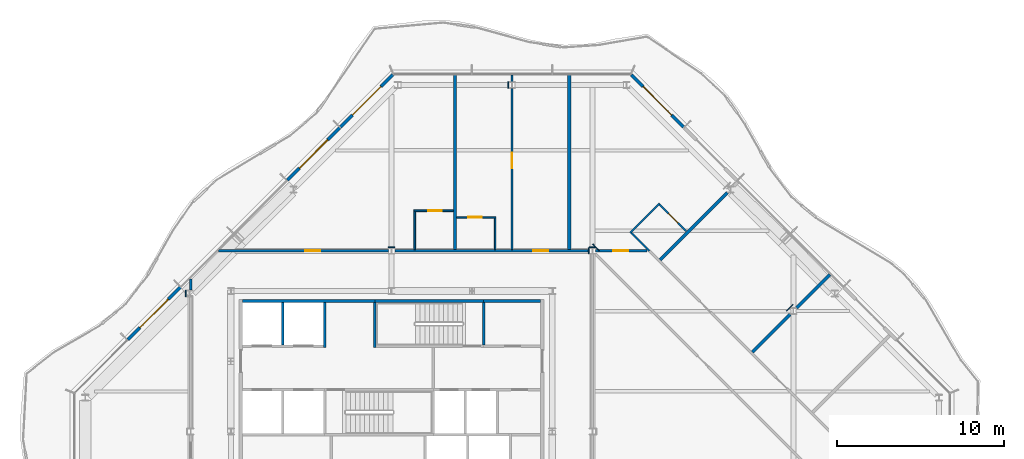
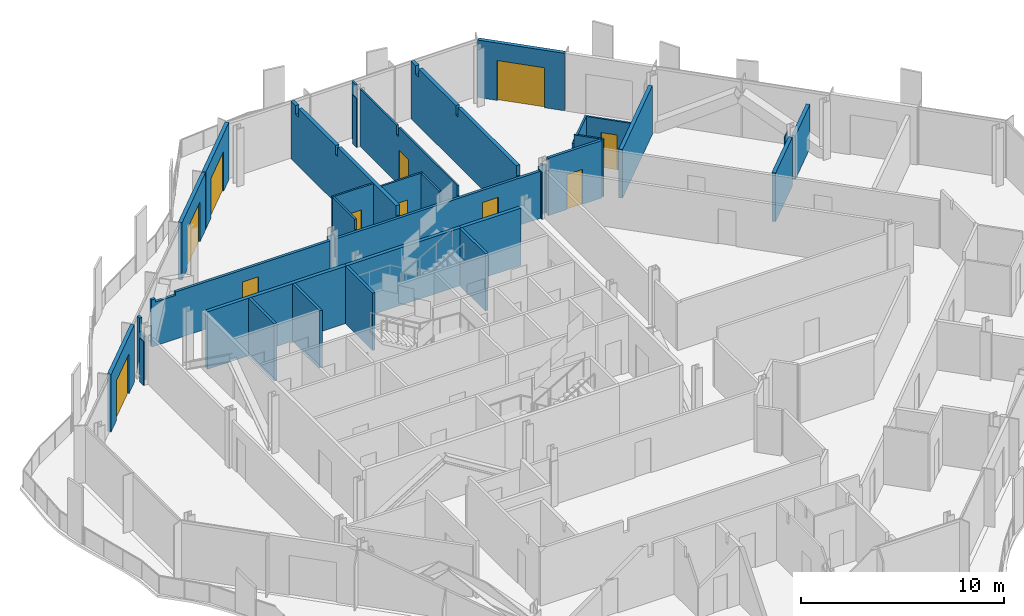
# One storey, part 11 of 17: 36 walls, 11 doors, 11 openings.
"""IFC4 building model written with IfcOpenShell, lengths in metres."""

from ifc_helpers import new_model, si_unit, direction, frame, frame_2d, origin, place, context, subcontext, project, spatial, polyline, rectangle, outline, extrude, material, layer, layer_set, type_object, element, fill, save


model = new_model("IFC4")

# Units and contexts
model_context = context("Model", 3, precision=1e-05, world=origin(), true_north=direction((0.0, 1.0)))
body_context = subcontext(model_context, "Body", "Model", "MODEL_VIEW")
ifc_project = project(units=[si_unit("LENGTHUNIT", "METRE"), si_unit("AREAUNIT", "SQUARE_METRE"), si_unit("VOLUMEUNIT", "CUBIC_METRE"), si_unit("PLANEANGLEUNIT", "RADIAN"), si_unit("MASSUNIT", "GRAM", prefix="KILO")], contexts=[model_context])

# Site, building, storey
site_placement = place(None, origin())
site = spatial("IfcSite", under=ifc_project, at=site_placement, CompositionType="ELEMENT")
building_placement = place(site_placement, origin())
building = spatial("IfcBuilding", under=site, at=building_placement, Name="Cairn Pilgrim Tower", CompositionType="ELEMENT")
storey_placement = place(building_placement, frame((0.0, 0.0, 270.60009765625)))
storey = spatial("IfcBuildingStorey", under=building, at=storey_placement, Name="L69", CompositionType="ELEMENT", Elevation=270.60009765625)

# Wall, opening, door
ifc_material_1 = material(Name="Bronze anodised aluminium insulated sandwich panel with mineral wool fill", Category="aluminium")
ifc_layer_1 = layer(ifc_material_1, 0.199951171875)
ifc_layer_set_1 = layer_set([ifc_layer_1], Name="BRONZE INFILL FRAME WALL 200")
wall_type_1 = type_object("IfcWallType", Name="BRONZE INFILL FRAME WALL 200", PredefinedType="NOTDEFINED", material=ifc_layer_set_1)
wall_1_placement = place(storey_placement, frame((24.65087890625, 20.595703125, 0.0), z_axis=(0.0, 0.0, 1.0), x_axis=(-0.707134392299, 0.707079168996, 0.0)))
wall_1 = element("IfcWall", 1, at=wall_1_placement, inside=storey, type_object=wall_type_1, Name="Bronze infill frame wall IW-NE6", PredefinedType="NOTDEFINED", context=body_context, shape_type="SweptSolid", body=[
    extrude(rectangle(XDim=4.4208984375, YDim=0.199951171875, at=frame_2d((2.21044921875, 0.0))), origin(), (0.0, 0.0, 1.0), 3.449951171875),
])
opening_1_placement = place(wall_1_placement, frame((1.01513671875, 0.0, 0.0)))
opening_1 = element("IfcOpeningElement", 2, at=opening_1_placement, cuts=wall_1, Name="Opening 6906B2", PredefinedType="OPENING", context=body_context, shape_type="SweptSolid", body=[
    extrude(rectangle(XDim=2.39990234375, YDim=2.39990234375, at=frame_2d((1.199951171875, 1.199951171875))), frame((0.0, 0.10986328125, 0.0), z_axis=(0.0, -1.0, 0.0), x_axis=(1.0, 0.0, 0.0)), (0.0, 0.0, 1.0), 0.219970703125),
])
ifc_material_2 = material(Name="Bronze anodised aluminium frame with tinted low-E glass", Category="aluminium")
door_type_1 = type_object("IfcDoorType", Name="BALCONY SLIDING DOOR 2400x2400", OperationType="DOUBLE_DOOR_SLIDING", PredefinedType="DOOR", material=ifc_material_2)
door_1_placement = place(opening_1_placement, origin())
door_1 = element("IfcDoor", 3, at=door_1_placement, inside=storey, type_object=door_type_1, Name="Balcony sliding door 6906B2", OperationType="SINGLE_SWING_LEFT", OverallHeight=2.39990234375, OverallWidth=2.39990234375, PredefinedType="DOOR", context=body_context, shape_type="SweptSolid", body=[
    extrude(rectangle(XDim=2.39990234375, YDim=2.39990234375, at=frame_2d((1.199951171875, 1.199951171875))), frame((0.0, 0.02490234375, 0.0), z_axis=(0.0, -1.0, 0.0), x_axis=(1.0, 0.0, 0.0)), (0.0, 0.0, 1.0), 0.050048828125),
])
fill(opening_1, door_1)

wall_2_placement = place(storey_placement, frame((7.275390625, 23.7216796875, 0.0), z_axis=(0.0, 0.0, 1.0), x_axis=(-0.707134392299, -0.707079168996, 0.0)))
wall_2 = element("IfcWall", 4, at=wall_2_placement, inside=storey, type_object=wall_type_1, Name="Bronze infill frame wall IW-NW1", PredefinedType="NOTDEFINED", context=body_context, shape_type="SweptSolid", body=[
    extrude(rectangle(XDim=4.4208984375, YDim=0.199951171875, at=frame_2d((2.21044921875, 0.0))), origin(), (0.0, 0.0, 1.0), 3.449951171875),
])
opening_2_placement = place(wall_2_placement, frame((1.00537109375, 0.0, 0.0)))
opening_2 = element("IfcOpeningElement", 5, at=opening_2_placement, cuts=wall_2, Name="Opening 6908B2", PredefinedType="OPENING", context=body_context, shape_type="SweptSolid", body=[
    extrude(rectangle(XDim=2.39990234375, YDim=2.39990234375, at=frame_2d((1.199951171875, 1.199951171875))), frame((0.0, 0.10986328125, 0.0), z_axis=(0.0, -1.0, 0.0), x_axis=(1.0, 0.0, 0.0)), (0.0, 0.0, 1.0), 0.219970703125),
])
door_2_placement = place(opening_2_placement, origin())
door_2 = element("IfcDoor", 6, at=door_2_placement, inside=storey, type_object=door_type_1, Name="Balcony sliding door 6908B2", OperationType="SINGLE_SWING_LEFT", OverallHeight=2.39990234375, OverallWidth=2.39990234375, PredefinedType="DOOR", context=body_context, shape_type="SweptSolid", body=[
    extrude(rectangle(XDim=2.39990234375, YDim=2.39990234375, at=frame_2d((1.199951171875, 1.199951171875))), frame((0.0, 0.02490234375, 0.0), z_axis=(0.0, -1.0, 0.0), x_axis=(1.0, 0.0, 0.0)), (0.0, 0.0, 1.0), 0.050048828125),
])
fill(opening_2, door_2)

wall_3_placement = place(storey_placement, frame((4.106689453125, 20.55322265625, 0.0), z_axis=(0.0, 0.0, 1.0), x_axis=(-0.707079231393, -0.707134329907, 0.0)))
wall_3 = element("IfcWall", 7, at=wall_3_placement, inside=storey, type_object=wall_type_1, Name="Bronze infill frame wall IW-NW2", PredefinedType="NOTDEFINED", context=body_context, shape_type="SweptSolid", body=[
    extrude(rectangle(XDim=4.430908203125, YDim=0.199951171875, at=frame_2d((2.21533203125, 0.0))), origin(), (0.0, 0.0, 1.0), 3.449951171875),
])
opening_3_placement = place(wall_3_placement, frame((1.015380859375, 0.0, 0.0)))
opening_3 = element("IfcOpeningElement", 8, at=opening_3_placement, cuts=wall_3, Name="Opening 6908B", PredefinedType="OPENING", context=body_context, shape_type="SweptSolid", body=[
    extrude(rectangle(XDim=2.39990234375, YDim=2.39990234375, at=frame_2d((1.199951171875, 1.199951171875))), frame((0.0, 0.10986328125, 0.0), z_axis=(0.0, -1.0, 0.0), x_axis=(1.0, 0.0, 0.0)), (0.0, 0.0, 1.0), 0.219970703125),
])
door_3_placement = place(opening_3_placement, origin())
door_3 = element("IfcDoor", 9, at=door_3_placement, inside=storey, type_object=door_type_1, Name="Balcony sliding door 6908B", OperationType="SINGLE_SWING_LEFT", OverallHeight=2.39990234375, OverallWidth=2.39990234375, PredefinedType="DOOR", context=body_context, shape_type="SweptSolid", body=[
    extrude(rectangle(XDim=2.39990234375, YDim=2.39990234375, at=frame_2d((1.199951171875, 1.199951171875))), frame((0.0, 0.02490234375, 0.0), z_axis=(0.0, -1.0, 0.0), x_axis=(1.0, 0.0, 0.0)), (0.0, 0.0, 1.0), 0.050048828125),
])
fill(opening_3, door_3)

wall_4_placement = place(storey_placement, frame((-5.419921875, 11.0263671875, 0.0), z_axis=(0.0, 0.0, 1.0), x_axis=(-0.707134329907, -0.707079231393, 0.0)))
wall_4 = element("IfcWall", 10, at=wall_4_placement, inside=storey, type_object=wall_type_1, Name="Bronze infill frame wall IW-NW5", PredefinedType="NOTDEFINED", context=body_context, shape_type="SweptSolid", body=[
    extrude(rectangle(XDim=4.430908203125, YDim=0.199951171875, at=frame_2d((2.21533203125, 0.0))), origin(), (0.0, 0.0, 1.0), 3.449951171875),
])
opening_4_placement = place(wall_4_placement, frame((1.01513671875, 0.0, 0.0)))
opening_4 = element("IfcOpeningElement", 11, at=opening_4_placement, cuts=wall_4, Name="Opening 6909B", PredefinedType="OPENING", context=body_context, shape_type="SweptSolid", body=[
    extrude(rectangle(XDim=2.39990234375, YDim=2.39990234375, at=frame_2d((1.199951171875, 1.199951171875))), frame((0.0, 0.10986328125, 0.0), z_axis=(0.0, -1.0, 0.0), x_axis=(1.0, 0.0, 0.0)), (0.0, 0.0, 1.0), 0.219970703125),
])
door_4_placement = place(opening_4_placement, origin())
door_4 = element("IfcDoor", 12, at=door_4_placement, inside=storey, type_object=door_type_1, Name="Balcony sliding door 6909B", OperationType="SINGLE_SWING_LEFT", OverallHeight=2.39990234375, OverallWidth=2.39990234375, PredefinedType="DOOR", context=body_context, shape_type="SweptSolid", body=[
    extrude(rectangle(XDim=2.39990234375, YDim=2.39990234375, at=frame_2d((1.199951171875, 1.199951171875))), frame((0.0, 0.02490234375, 0.0), z_axis=(0.0, -1.0, 0.0), x_axis=(1.0, 0.0, 0.0)), (0.0, 0.0, 1.0), 0.050048828125),
])
fill(opening_4, door_4)

# Walls
ifc_material_3 = material(Name="Concrete C32/40", Category="concrete")
ifc_layer_2 = layer(ifc_material_3, 0.199951171875)
ifc_layer_set_2 = layer_set([ifc_layer_2], Name="CORE OUTER WALL 200 EI 120")
wall_type_2 = type_object("IfcWallType", Name="CORE OUTER WALL 200 EI 120", PredefinedType="SOLIDWALL", material=ifc_layer_set_2)
wall_5_placement = place(storey_placement, frame((-1.699951171875, 10.199951171875, 0.0), z_axis=(0.0, 0.0, 1.0), x_axis=(1.0, 0.0, 0.0)))
element("IfcWall", 13, at=wall_5_placement, inside=storey, type_object=wall_type_2, Name="CW:L69:H12-1", PredefinedType="SOLIDWALL", context=body_context, shape_type="SweptSolid", body=[
    extrude(rectangle(XDim=7.89990234375, YDim=0.199951171875, at=frame_2d((3.949951171875, 0.0))), origin(), (0.0, 0.0, 1.0), 3.449951171875),
])
wall_6_placement = place(storey_placement, frame((12.699951171875, 10.199951171875, 0.0), z_axis=(0.0, 0.0, 1.0), x_axis=(1.0, 0.0, 0.0)))
element("IfcWall", 14, at=wall_6_placement, inside=storey, type_object=wall_type_2, Name="CW:L69:H12-3", PredefinedType="SOLIDWALL", context=body_context, shape_type="SweptSolid", body=[
    extrude(rectangle(XDim=3.400146484375, YDim=0.199951171875, at=frame_2d((1.7001953125, 0.0))), origin(), (0.0, 0.0, 1.0), 3.449951171875),
])
ifc_layer_3 = layer(ifc_material_3, 0.14990234375)
ifc_layer_set_3 = layer_set([ifc_layer_3], Name="CORE SHAFT WALL 150 EI 120")
wall_type_3 = type_object("IfcWallType", Name="CORE SHAFT WALL 150 EI 120", PredefinedType="SOLIDWALL", material=ifc_layer_set_3)
wall_7_placement = place(storey_placement, frame((0.699951171875, 7.574951171875, 0.0), z_axis=(0.0, 0.0, 1.0), x_axis=(0.0, 1.0, 0.0)))
element("IfcWall", 15, at=wall_7_placement, inside=storey, type_object=wall_type_3, Name="CW:L69:V15", PredefinedType="SOLIDWALL", context=body_context, shape_type="SweptSolid", body=[
    extrude(rectangle(XDim=2.525146484375, YDim=0.14990234375, at=frame_2d((1.2626953125, 0.0))), origin(), (0.0, 0.0, 1.0), 3.449951171875),
])
wall_8_placement = place(storey_placement, frame((3.199951171875, 7.425048828125, 0.0), z_axis=(0.0, 0.0, 1.0), x_axis=(0.0, 1.0, 0.0)))
element("IfcWall", 16, at=wall_8_placement, inside=storey, type_object=wall_type_3, Name="CW:L69:V18", PredefinedType="SOLIDWALL", context=body_context, shape_type="SweptSolid", body=[
    extrude(rectangle(XDim=2.675048828125, YDim=0.14990234375, at=frame_2d((1.33740234375, 0.0))), origin(), (0.0, 0.0, 1.0), 3.449951171875),
])
ifc_material_4 = material(Name="Gypsum partition")
ifc_layer_4 = layer(ifc_material_4, 0.10009765625)
ifc_layer_set_4 = layer_set([ifc_layer_4], Name="PARTITION 100 DRYWALL")
wall_type_4 = type_object("IfcWallType", Name="PARTITION 100 DRYWALL", PredefinedType="PARTITIONING", material=ifc_layer_set_4)
wall_9_placement = place(storey_placement, frame((22.593994140625, 13.199951171875, 0.0), z_axis=(0.0, 0.0, 1.0), x_axis=(-0.707106781187, 0.707106781187, 0.0)))
element("IfcWall", 17, at=wall_9_placement, inside=storey, type_object=wall_type_4, Name="PARTITION W064", PredefinedType="PARTITIONING", context=body_context, shape_type="SweptSolid", body=[
    extrude(rectangle(XDim=1.513916015625, YDim=0.10009765625, at=frame_2d((0.7568359375, 0.0))), origin(), (0.0, 0.0, 1.0), 3.449951171875),
])
wall_10_placement = place(storey_placement, frame((8.5859375, 13.27490234375, 0.0), z_axis=(0.0, 0.0, 1.0), x_axis=(0.0, 1.0, 0.0)))
element("IfcWall", 18, at=wall_10_placement, inside=storey, type_object=wall_type_4, Name="PARTITION W065", PredefinedType="PARTITIONING", context=body_context, shape_type="SweptSolid", body=[
    extrude(outline(polyline([(0.0, 0.0), (2.275146484375, 0.0), (2.27490234375, 3.449951171875), (0.074951171875, 3.449951171875), (0.072998046875, 2.829833984375), (0.0, 2.829833984375), (0.0, 0.0)])), frame((0.0, 0.050048828125, 0.0), z_axis=(0.0, -1.0, 0.0), x_axis=(1.0, 0.0, 0.0)), (0.0, 0.0, 1.0), 0.10009765625),
])
wall_11_placement = place(storey_placement, frame((13.385986328125, 13.27490234375, 0.0), z_axis=(0.0, 0.0, 1.0), x_axis=(0.0, 1.0, 0.0)))
element("IfcWall", 19, at=wall_11_placement, inside=storey, type_object=wall_type_4, Name="PARTITION W067", PredefinedType="PARTITIONING", context=body_context, shape_type="SweptSolid", body=[
    extrude(outline(polyline([(0.0, 0.0), (1.875, 0.0), (1.875, 3.449951171875), (0.074951171875, 3.449951171875), (0.072998046875, 2.829833984375), (0.0, 2.829833984375), (0.0, 0.0)])), frame((0.0, 0.050048828125, 0.0), z_axis=(0.0, -1.0, 0.0), x_axis=(1.0, 0.0, 0.0)), (0.0, 0.0, 1.0), 0.10009765625),
])

# Wall, opening, door
wall_12_placement = place(storey_placement, frame((14.39990234375, 13.27490234375, 0.0), z_axis=(0.0, 0.0, 1.0), x_axis=(0.0, 1.0, 0.0)))
wall_12 = element("IfcWall", 20, at=wall_12_placement, inside=storey, type_object=wall_type_4, Name="PARTITION W068", PredefinedType="PARTITIONING", context=body_context, shape_type="SweptSolid", body=[
    extrude(outline(polyline([(0.0, 0.0), (9.628662109375, 0.0), (9.62841796875, 3.449951171875), (6.030029296875, 3.449951171875), (6.028076171875, 2.8798828125), (5.820068359375, 2.8798828125), (5.818115234375, 3.449951171875), (0.074951171875, 3.449951171875), (0.072998046875, 2.829833984375), (0.0, 2.829833984375), (0.0, 0.0)])), frame((0.0, 0.050048828125, 0.0), z_axis=(0.0, -1.0, 0.0), x_axis=(1.0, 0.0, 0.0)), (0.0, 0.0, 1.0), 0.10009765625),
])
opening_5_placement = place(wall_12_placement, frame((4.875, 0.0, 0.0)))
opening_5 = element("IfcOpeningElement", 21, at=opening_5_placement, cuts=wall_12, Name="Opening 6907C", PredefinedType="OPENING", context=body_context, shape_type="SweptSolid", body=[
    extrude(rectangle(XDim=0.89990234375, YDim=2.10009765625, at=frame_2d((0.449951171875, 1.050048828125))), frame((0.0, 0.06005859375, 0.0), z_axis=(0.0, -1.0, 0.0), x_axis=(1.0, 0.0, 0.0)), (0.0, 0.0, 1.0), 0.1201171875),
])
ifc_material_5 = material(Name="Timber door leaf", Category="wood")
door_type_2 = type_object("IfcDoorType", Name="SERVICE DOOR 900x2100", OperationType="NOTDEFINED", PredefinedType="DOOR", material=ifc_material_5)
door_5_placement = place(opening_5_placement, frame((0.89990234375, 0.0, 0.0), z_axis=(0.0, 0.0, 1.0), x_axis=(-1.0, 0.0, 0.0)))
door_5 = element("IfcDoor", 22, at=door_5_placement, inside=storey, type_object=door_type_2, Name="DOOR 6907C", OperationType="SINGLE_SWING_RIGHT", OverallHeight=2.10009765625, OverallWidth=0.89990234375, PredefinedType="DOOR", context=body_context, shape_type="SweptSolid", body=[
    extrude(rectangle(XDim=0.89990234375, YDim=2.10009765625, at=frame_2d((0.449951171875, 1.050048828125))), frame((0.0, 0.02490234375, 0.0), z_axis=(0.0, -1.0, 0.0), x_axis=(1.0, 0.0, 0.0)), (0.0, 0.0, 1.0), 0.050048828125),
])
fill(opening_5, door_5)

# Wall
wall_13_placement = place(storey_placement, frame((21.45263671875, 14.2705078125, 0.0), z_axis=(0.0, 0.0, 1.0), x_axis=(0.707057949532, 0.707155609469, 0.0)))
element("IfcWall", 23, at=wall_13_placement, inside=storey, type_object=wall_type_4, Name="PARTITION W070", PredefinedType="PARTITIONING", context=body_context, shape_type="SweptSolid", body=[
    extrude(rectangle(XDim=2.5, YDim=0.10009765625, at=frame_2d((1.25, 0.0))), origin(), (0.0, 0.0, 1.0), 2.929931640625),
])

# Wall, opening, door
wall_14_placement = place(storey_placement, frame((24.811279296875, 14.376708984375, 0.0), z_axis=(0.0, 0.0, 1.0), x_axis=(-0.707106781187, 0.707106781187, 0.0)))
wall_14 = element("IfcWall", 24, at=wall_14_placement, inside=storey, type_object=wall_type_4, Name="PARTITION W071", PredefinedType="PARTITIONING", context=body_context, shape_type="SweptSolid", body=[
    extrude(rectangle(XDim=2.249755859375, YDim=0.10009765625, at=frame_2d((1.125, 0.0))), origin(), (0.0, 0.0, 1.0), 2.929931640625),
])
opening_6_placement = place(wall_14_placement, frame((0.699951171875, 0.0, 0.0)))
opening_6 = element("IfcOpeningElement", 25, at=opening_6_placement, cuts=wall_14, Name="Opening 6906A", PredefinedType="OPENING", context=body_context, shape_type="SweptSolid", body=[
    extrude(rectangle(XDim=0.800048828125, YDim=2.10009765625, at=frame_2d((0.39990234375, 1.050048828125))), frame((0.0, 0.06005859375, 0.0), z_axis=(0.0, -1.0, 0.0), x_axis=(1.0, 0.0, 0.0)), (0.0, 0.0, 1.0), 0.1201171875),
])
door_type_3 = type_object("IfcDoorType", Name="WC DOOR 800x2100", OperationType="NOTDEFINED", PredefinedType="DOOR", material=ifc_material_5)
door_6_placement = place(opening_6_placement, frame((0.800048828125, 0.0, 0.0), z_axis=(0.0, 0.0, 1.0), x_axis=(-1.0, 0.0, 0.0)))
door_6 = element("IfcDoor", 26, at=door_6_placement, inside=storey, type_object=door_type_3, Name="DOOR 6906A", OperationType="SINGLE_SWING_RIGHT", OverallHeight=2.10009765625, OverallWidth=0.800048828125, PredefinedType="DOOR", context=body_context, shape_type="SweptSolid", body=[
    extrude(rectangle(XDim=0.800048828125, YDim=2.10009765625, at=frame_2d((0.39990234375, 1.050048828125))), frame((0.0, 0.02490234375, 0.0), z_axis=(0.0, -1.0, 0.0), x_axis=(1.0, 0.0, 0.0)), (0.0, 0.0, 1.0), 0.050048828125),
])
fill(opening_6, door_6)

wall_15_placement = place(storey_placement, frame((11.0859375, 15.199951171875, 0.0), z_axis=(0.0, 0.0, 1.0), x_axis=(1.0, 0.0, 0.0)))
wall_15 = element("IfcWall", 27, at=wall_15_placement, inside=storey, type_object=wall_type_4, Name="PARTITION W072", PredefinedType="PARTITIONING", context=body_context, shape_type="SweptSolid", body=[
    extrude(rectangle(XDim=2.35009765625, YDim=0.10009765625, at=frame_2d((1.175048828125, 0.0))), origin(), (0.0, 0.0, 1.0), 3.449951171875),
])
opening_7_placement = place(wall_15_placement, frame((0.699951171875, 0.0, 0.0)))
opening_7 = element("IfcOpeningElement", 28, at=opening_7_placement, cuts=wall_15, Name="Opening 6907A", PredefinedType="OPENING", context=body_context, shape_type="SweptSolid", body=[
    extrude(rectangle(XDim=0.800048828125, YDim=2.10009765625, at=frame_2d((0.39990234375, 1.050048828125))), frame((0.0, 0.06005859375, 0.0), z_axis=(0.0, -1.0, 0.0), x_axis=(1.0, 0.0, 0.0)), (0.0, 0.0, 1.0), 0.1201171875),
])
door_7_placement = place(opening_7_placement, origin())
door_7 = element("IfcDoor", 29, at=door_7_placement, inside=storey, type_object=door_type_3, Name="DOOR 6907A", OperationType="SINGLE_SWING_RIGHT", OverallHeight=2.10009765625, OverallWidth=0.800048828125, PredefinedType="DOOR", context=body_context, shape_type="SweptSolid", body=[
    extrude(rectangle(XDim=0.800048828125, YDim=2.10009765625, at=frame_2d((0.39990234375, 1.050048828125))), frame((0.0, 0.02490234375, 0.0), z_axis=(0.0, -1.0, 0.0), x_axis=(1.0, 0.0, 0.0)), (0.0, 0.0, 1.0), 0.050048828125),
])
fill(opening_7, door_7)

wall_16_placement = place(storey_placement, frame((8.535888671875, 15.60009765625, 0.0), z_axis=(0.0, 0.0, 1.0), x_axis=(1.0, 0.0, 0.0)))
wall_16 = element("IfcWall", 30, at=wall_16_placement, inside=storey, type_object=wall_type_4, Name="PARTITION W073", PredefinedType="PARTITIONING", context=body_context, shape_type="SweptSolid", body=[
    extrude(rectangle(XDim=2.35009765625, YDim=0.10009765625, at=frame_2d((1.175048828125, 0.0))), origin(), (0.0, 0.0, 1.0), 3.449951171875),
])
opening_8_placement = place(wall_16_placement, frame((0.85009765625, 0.0, 0.0)))
opening_8 = element("IfcOpeningElement", 31, at=opening_8_placement, cuts=wall_16, Name="Opening 6908A", PredefinedType="OPENING", context=body_context, shape_type="SweptSolid", body=[
    extrude(rectangle(XDim=0.800048828125, YDim=2.10009765625, at=frame_2d((0.39990234375, 1.050048828125))), frame((0.0, 0.06005859375, 0.0), z_axis=(0.0, -1.0, 0.0), x_axis=(1.0, 0.0, 0.0)), (0.0, 0.0, 1.0), 0.1201171875),
])
door_8_placement = place(opening_8_placement, origin())
door_8 = element("IfcDoor", 32, at=door_8_placement, inside=storey, type_object=door_type_3, Name="DOOR 6908A", OperationType="SINGLE_SWING_RIGHT", OverallHeight=2.10009765625, OverallWidth=0.800048828125, PredefinedType="DOOR", context=body_context, shape_type="SweptSolid", body=[
    extrude(rectangle(XDim=0.800048828125, YDim=2.10009765625, at=frame_2d((0.39990234375, 1.050048828125))), frame((0.0, 0.02490234375, 0.0), z_axis=(0.0, -1.0, 0.0), x_axis=(1.0, 0.0, 0.0)), (0.0, 0.0, 1.0), 0.050048828125),
])
fill(opening_8, door_8)

# Walls
wall_17_placement = place(storey_placement, frame((14.39990234375, 23.29638671875, 0.0), z_axis=(0.0, 0.0, 1.0), x_axis=(0.0, 1.0, 0.0)))
element("IfcWall", 33, at=wall_17_placement, inside=storey, type_object=wall_type_4, Name="PARTITION W075", PredefinedType="PARTITIONING", context=body_context, shape_type="SweptSolid", body=[
    extrude(rectangle(XDim=0.406494140625, YDim=0.10009765625, at=frame_2d((0.203125, 0.0))), origin(), (0.0, 0.0, 1.0), 3.449951171875),
])
ifc_layer_5 = layer(ifc_material_4, 0.14990234375)
ifc_layer_set_5 = layer_set([ifc_layer_5], Name="PARTITION 150 DRYWALL EI 60")
wall_type_5 = type_object("IfcWallType", Name="PARTITION 150 DRYWALL EI 60", PredefinedType="PARTITIONING", material=ifc_layer_set_5)
wall_18_placement = place(storey_placement, frame((-4.800048828125, 10.847900390625, 0.0), z_axis=(0.0, 0.0, 1.0), x_axis=(0.0, 1.0, 0.0)))
element("IfcWall", 34, at=wall_18_placement, inside=storey, type_object=wall_type_5, Name="PARTITION W059", PredefinedType="PARTITIONING", context=body_context, shape_type="SweptSolid", body=[
    extrude(outline(polyline([(0.0, 0.0), (0.67822265625, 0.0), (0.677978515625, 3.449951171875), (0.44921875, 3.449951171875), (0.447265625, 2.6298828125), (0.0, 2.6298828125), (0.0, 0.0)])), frame((0.0, 0.074951171875, 0.0), z_axis=(0.0, -1.0, 0.0), x_axis=(1.0, 0.0, 0.0)), (0.0, 0.0, 1.0), 0.14990234375),
])

# Wall, opening, door
wall_19_placement = place(storey_placement, frame((-3.126220703125, 13.199951171875, 0.0), z_axis=(0.0, 0.0, 1.0), x_axis=(1.0, 0.0, 0.0)))
wall_19 = element("IfcWall", 35, at=wall_19_placement, inside=storey, type_object=wall_type_5, Name="PARTITION W061", PredefinedType="PARTITIONING", context=body_context, shape_type="SweptSolid", body=[
    extrude(outline(polyline([(0.0, 0.0), (10.129150390625, 0.0), (10.129150390625, 2.829833984375), (1.368896484375, 2.829833984375), (1.366943359375, 2.6298828125), (0.22900390625, 2.6298828125), (0.226806640625, 2.829833984375), (0.0, 2.829833984375), (0.0, 0.0)])), frame((0.0, 0.074951171875, 0.0), z_axis=(0.0, -1.0, 0.0), x_axis=(1.0, 0.0, 0.0)), (0.0, 0.0, 1.0), 0.14990234375),
])
opening_9_placement = place(wall_19_placement, frame((5.169189453125, 0.0, 0.0)))
opening_9 = element("IfcOpeningElement", 36, at=opening_9_placement, cuts=wall_19, Name="Opening 6908", PredefinedType="OPENING", context=body_context, shape_type="SweptSolid", body=[
    extrude(rectangle(XDim=0.89990234375, YDim=2.10009765625, at=frame_2d((0.449951171875, 1.050048828125))), frame((0.0, 0.0849609375, 0.0), z_axis=(0.0, -1.0, 0.0), x_axis=(1.0, 0.0, 0.0)), (0.0, 0.0, 1.0), 0.169921875),
])
door_type_4 = type_object("IfcDoorType", Name="ROOM DOOR 900x2100 FD30S", OperationType="NOTDEFINED", PredefinedType="DOOR", material=ifc_material_5)
door_9_placement = place(opening_9_placement, origin())
door_9 = element("IfcDoor", 37, at=door_9_placement, inside=storey, type_object=door_type_4, Name="DOOR 6908", OperationType="SINGLE_SWING_RIGHT", OverallHeight=2.10009765625, OverallWidth=0.89990234375, PredefinedType="DOOR", context=body_context, shape_type="SweptSolid", body=[
    extrude(rectangle(XDim=0.89990234375, YDim=2.10009765625, at=frame_2d((0.449951171875, 1.050048828125))), frame((0.0, 0.02490234375, 0.0), z_axis=(0.0, -1.0, 0.0), x_axis=(1.0, 0.0, 0.0)), (0.0, 0.0, 1.0), 0.050048828125),
])
fill(opening_9, door_9)

wall_20_placement = place(storey_placement, frame((7.39697265625, 13.199951171875, 0.0), z_axis=(0.0, 0.0, 1.0), x_axis=(1.0, 0.0, 0.0)))
wall_20 = element("IfcWall", 38, at=wall_20_placement, inside=storey, type_object=wall_type_5, Name="PARTITION W062", PredefinedType="PARTITIONING", context=body_context, shape_type="SweptSolid", body=[
    extrude(rectangle(XDim=11.60595703125, YDim=0.14990234375, at=frame_2d((5.802978515625, 0.0))), origin(), (0.0, 0.0, 1.0), 2.829833984375),
])
opening_10_placement = place(wall_20_placement, frame((8.260009765625, 0.0, 0.0)))
opening_10 = element("IfcOpeningElement", 39, at=opening_10_placement, cuts=wall_20, Name="Opening 6907", PredefinedType="OPENING", context=body_context, shape_type="SweptSolid", body=[
    extrude(rectangle(XDim=0.89990234375, YDim=2.10009765625, at=frame_2d((0.449951171875, 1.050048828125))), frame((0.0, 0.0849609375, 0.0), z_axis=(0.0, -1.0, 0.0), x_axis=(1.0, 0.0, 0.0)), (0.0, 0.0, 1.0), 0.169921875),
])
door_10_placement = place(opening_10_placement, origin())
door_10 = element("IfcDoor", 40, at=door_10_placement, inside=storey, type_object=door_type_4, Name="DOOR 6907", OperationType="SINGLE_SWING_RIGHT", OverallHeight=2.10009765625, OverallWidth=0.89990234375, PredefinedType="DOOR", context=body_context, shape_type="SweptSolid", body=[
    extrude(rectangle(XDim=0.89990234375, YDim=2.10009765625, at=frame_2d((0.449951171875, 1.050048828125))), frame((0.0, 0.02490234375, 0.0), z_axis=(0.0, -1.0, 0.0), x_axis=(1.0, 0.0, 0.0)), (0.0, 0.0, 1.0), 0.050048828125),
])
fill(opening_10, door_10)

wall_21_placement = place(storey_placement, frame((19.39697265625, 13.199951171875, 0.0), z_axis=(0.0, 0.0, 1.0), x_axis=(1.0, 0.0, 0.0)))
wall_21 = element("IfcWall", 41, at=wall_21_placement, inside=storey, type_object=wall_type_5, Name="PARTITION W063", PredefinedType="PARTITIONING", context=body_context, shape_type="SweptSolid", body=[
    extrude(rectangle(XDim=3.05126953125, YDim=0.14990234375, at=frame_2d((1.525634765625, 0.0))), origin(), (0.0, 0.0, 1.0), 3.449951171875),
])
opening_11_placement = place(wall_21_placement, frame((1.050048828125, 0.0, 0.0)))
opening_11 = element("IfcOpeningElement", 42, at=opening_11_placement, cuts=wall_21, Name="Opening 6906", PredefinedType="OPENING", context=body_context, shape_type="SweptSolid", body=[
    extrude(rectangle(XDim=0.89990234375, YDim=2.10009765625, at=frame_2d((0.449951171875, 1.050048828125))), frame((0.0, 0.0849609375, 0.0), z_axis=(0.0, -1.0, 0.0), x_axis=(1.0, 0.0, 0.0)), (0.0, 0.0, 1.0), 0.169921875),
])
door_11_placement = place(opening_11_placement, origin())
door_11 = element("IfcDoor", 43, at=door_11_placement, inside=storey, type_object=door_type_4, Name="DOOR 6906", OperationType="SINGLE_SWING_RIGHT", OverallHeight=2.10009765625, OverallWidth=0.89990234375, PredefinedType="DOOR", context=body_context, shape_type="SweptSolid", body=[
    extrude(rectangle(XDim=0.89990234375, YDim=2.10009765625, at=frame_2d((0.449951171875, 1.050048828125))), frame((0.0, 0.02490234375, 0.0), z_axis=(0.0, -1.0, 0.0), x_axis=(1.0, 0.0, 0.0)), (0.0, 0.0, 1.0), 0.050048828125),
])
fill(opening_11, door_11)

# Walls
ifc_layer_6 = layer(ifc_material_4, 0.050048828125)
ifc_layer_set_6 = layer_set([ifc_layer_6], Name="PARTITION 50 DRYWALL")
wall_type_6 = type_object("IfcWallType", Name="PARTITION 50 DRYWALL", PredefinedType="PARTITIONING", material=ifc_layer_set_6)
wall_22_placement = place(storey_placement, frame((14.175537109375, 22.903564453125, 0.0), z_axis=(0.0, 0.0, 1.0), x_axis=(0.0, 1.0, 0.0)))
element("IfcWall", 44, at=wall_22_placement, inside=storey, type_object=wall_type_6, Name="COLUMN CASING WC21", PredefinedType="PARTITIONING", context=body_context, shape_type="SweptSolid", body=[
    extrude(rectangle(XDim=0.392822265625, YDim=0.050048828125, at=frame_2d((0.1962890625, 0.0))), origin(), (0.0, 0.0, 1.0), 2.929931640625),
])
ifc_layer_7 = layer(ifc_material_4, 0.050048828125)
ifc_layer_set_7 = layer_set([ifc_layer_7], Name="PARTITION 50 DRYWALL EI 60")
wall_type_7 = type_object("IfcWallType", Name="PARTITION 50 DRYWALL EI 60", PredefinedType="PARTITIONING", material=ifc_layer_set_7)
wall_23_placement = place(storey_placement, frame((-5.10009765625, 10.455078125, 0.0), z_axis=(0.0, 0.0, 1.0), x_axis=(0.0, 1.0, 0.0)))
element("IfcWall", 45, at=wall_23_placement, inside=storey, type_object=wall_type_7, Name="COLUMN CASING WC08", PredefinedType="PARTITIONING", context=body_context, shape_type="SweptSolid", body=[
    extrude(rectangle(XDim=0.392822265625, YDim=0.050048828125, at=frame_2d((0.1962890625, 0.0))), origin(), (0.0, 0.0, 1.0), 2.6298828125),
])
wall_24_placement = place(storey_placement, frame((18.97802734375, 13.012451171875, 0.0), z_axis=(0.0, 0.0, 1.0), x_axis=(0.0, 1.0, 0.0)))
element("IfcWall", 46, at=wall_24_placement, inside=storey, type_object=wall_type_7, Name="COLUMN CASING WC15", PredefinedType="PARTITIONING", context=body_context, shape_type="SweptSolid", body=[
    extrude(rectangle(XDim=0.375, YDim=0.050048828125, at=frame_2d((0.1875, 0.0))), origin(), (0.0, 0.0, 1.0), 2.829833984375),
])
wall_25_placement = place(storey_placement, frame((19.602294921875, 13.2177734375, 0.0), z_axis=(0.0, 0.0, 1.0), x_axis=(-0.707106781187, 0.707106781187, 0.0)))
element("IfcWall", 47, at=wall_25_placement, inside=storey, type_object=wall_type_7, Name="COLUMN CASING WC16", PredefinedType="PARTITIONING", context=body_context, shape_type="SweptSolid", body=[
    extrude(rectangle(XDim=0.543701171875, YDim=0.050048828125, at=frame_2d((0.27197265625, 0.0))), origin(), (0.0, 0.0, 1.0), 2.929931640625),
])
wall_26_placement = place(storey_placement, frame((30.7978515625, 9.61767578125, 0.0), z_axis=(0.0, 0.0, 1.0), x_axis=(0.707106781187, 0.707106781187, 0.0)))
element("IfcWall", 48, at=wall_26_placement, inside=storey, type_object=wall_type_7, Name="COLUMN CASING WC17", PredefinedType="PARTITIONING", context=body_context, shape_type="SweptSolid", body=[
    extrude(rectangle(XDim=0.543701171875, YDim=0.050048828125, at=frame_2d((0.27197265625, 0.0))), origin(), (0.0, 0.0, 1.0), 2.8798828125),
])
for number, where, z_axis, x_axis, name in (
    (49, (7.0029296875, 13.41259765625, 0.0), (0.0, 0.0, 1.0), (1.0, 0.0, 0.0), "COLUMN CASING WC19"),
    (50, (19.0029296875, 13.41259765625, 0.0), (0.0, 0.0, 1.0), (1.0, 0.0, 0.0), "COLUMN CASING WC20"),
):
    element("IfcWall", number, at=place(storey_placement, frame(where, z_axis=z_axis, x_axis=x_axis)), inside=storey, type_object=wall_type_7, Name=name, PredefinedType="PARTITIONING", context=body_context, shape_type="SweptSolid", body=[
        extrude(rectangle(XDim=0.39404296875, YDim=0.050048828125, at=frame_2d((0.197021484375, 0.0))), origin(), (0.0, 0.0, 1.0), 2.929931640625),
    ])
ifc_layer_8 = layer(ifc_material_4, 0.199951171875)
ifc_layer_set_8 = layer_set([ifc_layer_8], Name="SHAFT WALL 200 GYPSUM EI 60")
wall_type_8 = type_object("IfcWallType", Name="SHAFT WALL 200 GYPSUM EI 60", PredefinedType="PARTITIONING", material=ifc_layer_set_8)
wall_27_placement = place(storey_placement, frame((28.75, 7.14990234375, 0.0), z_axis=(0.0, 0.0, 1.0), x_axis=(0.707106781187, 0.707106781187, 0.0)))
element("IfcWall", 51, at=wall_27_placement, inside=storey, type_object=wall_type_8, Name="PARTITION W057", PredefinedType="PARTITIONING", context=body_context, shape_type="SweptSolid", body=[
    extrude(rectangle(XDim=3.193115234375, YDim=0.199951171875, at=frame_2d((1.5966796875, 0.0))), origin(), (0.0, 0.0, 1.0), 2.929931640625),
])
wall_28_placement = place(storey_placement, frame((31.392333984375, 9.792236328125, 0.0), z_axis=(0.0, 0.0, 1.0), x_axis=(0.707106781187, 0.707106781187, 0.0)))
element("IfcWall", 52, at=wall_28_placement, inside=storey, type_object=wall_type_8, Name="PARTITION W058", PredefinedType="PARTITIONING", context=body_context, shape_type="SweptSolid", body=[
    extrude(rectangle(XDim=2.812255859375, YDim=0.199951171875, at=frame_2d((1.40625, 0.0))), origin(), (0.0, 0.0, 1.0), 2.6298828125),
])
wall_29_placement = place(storey_placement, frame((23.238037109375, 12.662109375, 0.0), z_axis=(0.0, 0.0, 1.0), x_axis=(0.707128276734, 0.707085284986, 0.0)))
element("IfcWall", 53, at=wall_29_placement, inside=storey, type_object=wall_type_8, Name="PARTITION W060", PredefinedType="PARTITIONING", context=body_context, shape_type="SweptSolid", body=[
    extrude(rectangle(XDim=5.6787109375, YDim=0.199951171875, at=frame_2d((2.83935546875, 0.0))), origin(), (0.0, 0.0, 1.0), 2.929931640625),
])
for number, where, z_axis, x_axis, name in (
    (54, (10.986083984375, 13.27490234375, 0.0), (0.0, 0.0, 1.0), (0.0, 1.0, 0.0), "PARTITION W066"),
    (55, (17.81396484375, 13.27490234375, 0.0), (0.0, 0.0, 1.0), (0.0, 1.0, 0.0), "PARTITION W069"),
):
    element("IfcWall", number, at=place(storey_placement, frame(where, z_axis=z_axis, x_axis=x_axis)), inside=storey, type_object=wall_type_8, Name=name, PredefinedType="PARTITIONING", context=body_context, shape_type="SweptSolid", body=[
        extrude(outline(polyline([(0.0, 0.0), (10.427978515625, 0.0), (10.427978515625, 3.449951171875), (9.97509765625, 3.449951171875), (9.972900390625, 2.929931640625), (9.675048828125, 2.929931640625), (9.673095703125, 3.449951171875), (6.030029296875, 3.449951171875), (6.028076171875, 2.8798828125), (5.820068359375, 2.8798828125), (5.818115234375, 3.449951171875), (0.074951171875, 3.449951171875), (0.072998046875, 2.829833984375), (0.0, 2.829833984375), (0.0, 0.0)])), frame((0.0, 0.10009765625, 0.0), z_axis=(0.0, -1.0, 0.0), x_axis=(1.0, 0.0, 0.0)), (0.0, 0.0, 1.0), 0.199951171875),
    ])
ifc_material_6 = material(Name="Concrete C35/45", Category="concrete")
ifc_layer_9 = layer(ifc_material_6, 0.14990234375)
ifc_layer_set_9 = layer_set([ifc_layer_9], Name="STAIR SHAFT WALL 150 EI 120")
wall_type_9 = type_object("IfcWallType", Name="STAIR SHAFT WALL 150 EI 120", PredefinedType="SOLIDWALL", material=ifc_layer_set_9)
wall_30_placement = place(storey_placement, frame((6.199951171875, 7.425048828125, 0.0), z_axis=(0.0, 0.0, 1.0), x_axis=(0.0, 1.0, 0.0)))
element("IfcWall", 56, at=wall_30_placement, inside=storey, type_object=wall_type_9, Name="CW:L69:V21", PredefinedType="SOLIDWALL", context=body_context, shape_type="SweptSolid", body=[
    extrude(rectangle(XDim=2.675048828125, YDim=0.14990234375, at=frame_2d((1.33740234375, 0.0))), origin(), (0.0, 0.0, 1.0), 3.449951171875),
])
wall_31_placement = place(storey_placement, frame((12.699951171875, 7.574951171875, 0.0), z_axis=(0.0, 0.0, 1.0), x_axis=(0.0, 1.0, 0.0)))
element("IfcWall", 57, at=wall_31_placement, inside=storey, type_object=wall_type_9, Name="CW:L69:V28", PredefinedType="SOLIDWALL", context=body_context, shape_type="SweptSolid", body=[
    extrude(rectangle(XDim=2.525146484375, YDim=0.14990234375, at=frame_2d((1.2626953125, 0.0))), origin(), (0.0, 0.0, 1.0), 3.449951171875),
])
ifc_layer_10 = layer(ifc_material_6, 0.199951171875)
ifc_layer_set_10 = layer_set([ifc_layer_10], Name="STAIR SHAFT WALL 200 EI 120")
wall_type_10 = type_object("IfcWallType", Name="STAIR SHAFT WALL 200 EI 120", PredefinedType="SOLIDWALL", material=ifc_layer_set_10)
wall_32_placement = place(storey_placement, frame((6.199951171875, 10.199951171875, 0.0), z_axis=(0.0, 0.0, 1.0), x_axis=(1.0, 0.0, 0.0)))
element("IfcWall", 58, at=wall_32_placement, inside=storey, type_object=wall_type_10, Name="CW:L69:H12-2", PredefinedType="SOLIDWALL", context=body_context, shape_type="SweptSolid", body=[
    extrude(rectangle(XDim=6.5, YDim=0.199951171875, at=frame_2d((3.25, 0.0))), origin(), (0.0, 0.0, 1.0), 3.449951171875),
])

save(model, "model.ifc")
